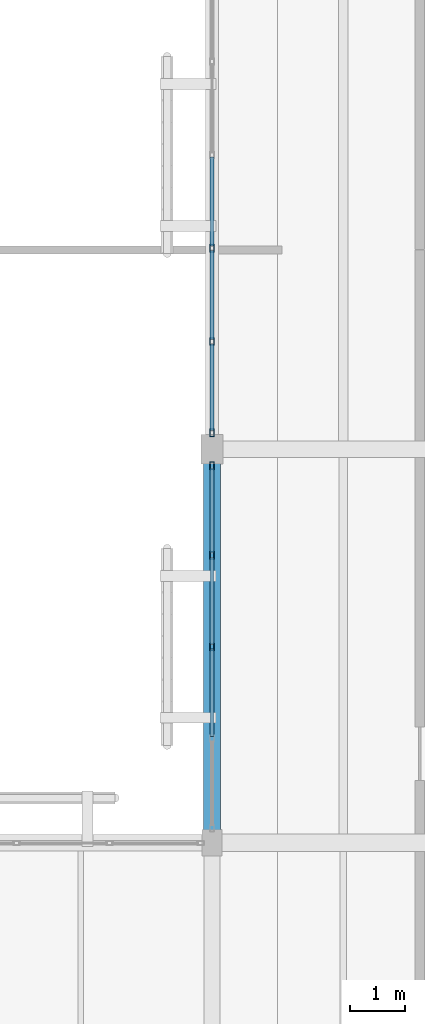
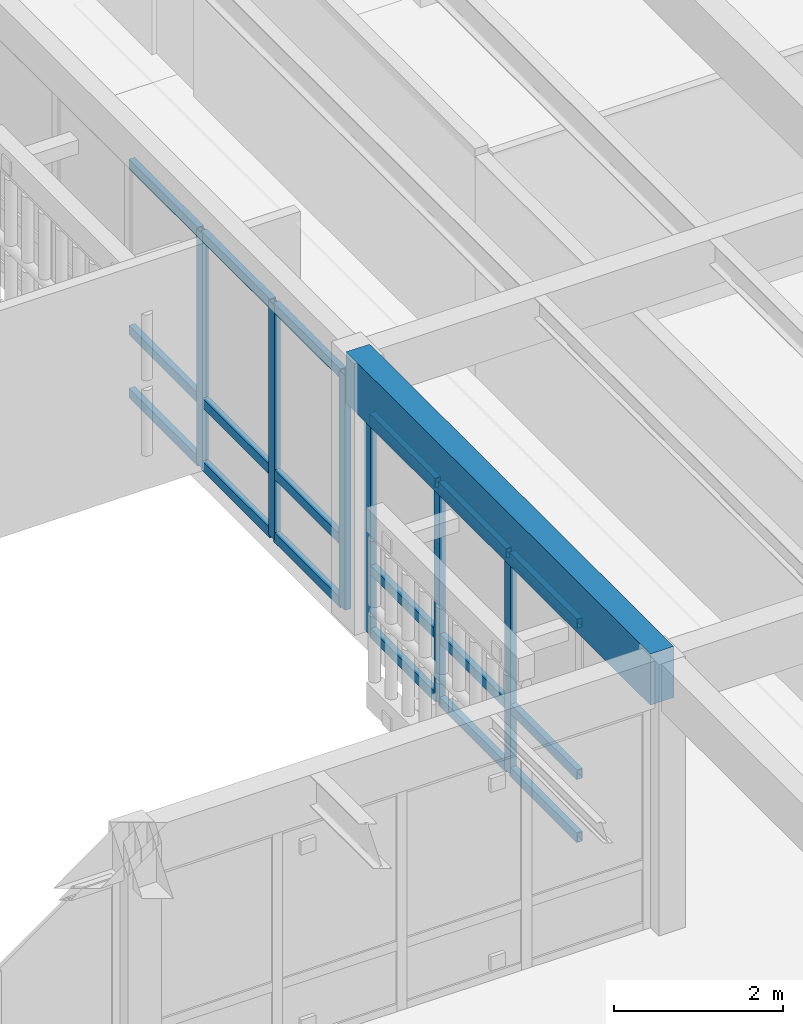
# One storey, part 28 of 112: 24 members, 1 beam, 2 elements without a shape of their own.
"""IFC4 building model written with IfcOpenShell, lengths in metres."""

from ifc_helpers import new_model, si_unit, direction, frame, origin, origin_2d, place, context, subcontext, project, spatial, rectangle, hollow_rectangle, extrude, material, layer, layer_set, material_profile, profile_set, type_object, element, aggregate, save


model = new_model("IFC4")

# Units and contexts
model_context = context("Model", 3, precision=1e-05, world=origin(), true_north=direction((0.0, 1.0)))
body_context = subcontext(model_context, "Body", "Model", "MODEL_VIEW")
ifc_project = project(units=[si_unit("LENGTHUNIT", "METRE"), si_unit("AREAUNIT", "SQUARE_METRE"), si_unit("VOLUMEUNIT", "CUBIC_METRE"), si_unit("PLANEANGLEUNIT", "RADIAN"), si_unit("MASSUNIT", "GRAM", prefix="KILO")], contexts=[model_context])

# Site, building, storey
site_placement = place(None, origin())
site = spatial("IfcSite", under=ifc_project, at=site_placement, CompositionType="ELEMENT")
building_placement = place(site_placement, origin())
building = spatial("IfcBuilding", under=site, at=building_placement, Name="Mazaris Harbour Polytechnic", CompositionType="ELEMENT")
storey_placement = place(building_placement, frame((0.0, 0.0, 13.800048828125)))
storey = spatial("IfcBuildingStorey", under=building, at=storey_placement, Name="L03", CompositionType="ELEMENT", Elevation=13.800048828125)

# Curtain wall, members
ifc_material_1 = material(Name="Anodised Bronze Aluminium and Low-E Glass", Category="aluminium")
ifc_layer = layer(ifc_material_1, 0.159912109375, Name="Anodised Bronze Aluminium and Low-E Glass")
ifc_layer_set = layer_set([ifc_layer], Name="Anodised Bronze Aluminium and Low-E Glass")
curtain_wall_type = type_object("IfcCurtainWallType", Name="Cloister Court Curtain Wall", PredefinedType="NOTDEFINED", material=ifc_layer_set)
curtain_wall_1_placement = place(storey_placement, origin())
curtain_wall_1 = element("IfcCurtainWall", 1, at=curtain_wall_1_placement, inside=storey, type_object=curtain_wall_type, Name="V4 L03 Curtain Wall 158", PredefinedType="NOTDEFINED")
ifc_material_2 = material(Name="Anodised Bronze Steel S355", Category="steel")
ifc_material_profile_1 = material_profile(ifc_material_2, hollow_rectangle(XDim=0.080078125, YDim=0.139892578125, WallThickness=0.00634765625, at=origin_2d()), Name="RHS 80x140x6.3")
ifc_profile_set_1 = profile_set([ifc_material_profile_1], Name="Anodised Bronze Steel S355")
member_type_1 = type_object("IfcMemberType", Name="Curtain Mullion RHS80x140", PredefinedType="MULLION", material=ifc_profile_set_1)
member_1_placement = place(storey_placement, frame((28.800048828125, 42.89794921875, 0.0), z_axis=(0.0, 0.0, 1.0), x_axis=(1.0, 0.0, 0.0)))
member_1 = element("IfcMember", 2, at=member_1_placement, type_object=member_type_1, Name="CW-02 mullion 1", PredefinedType="MULLION", context=body_context, shape_type="SweptSolid", body=[
    extrude(hollow_rectangle(XDim=0.080078125, YDim=0.139892578125, WallThickness=0.00634765625, at=origin_2d()), origin(), (0.0, 0.0, 1.0), 3.169921875),
])
member_2_placement = place(storey_placement, frame((28.800048828125, 41.261474609375, 0.0), z_axis=(0.0, 0.0, 1.0), x_axis=(1.0, 0.0, 0.0)))
member_2 = element("IfcMember", 3, at=member_2_placement, type_object=member_type_1, Name="CW-02 mullion 2", PredefinedType="MULLION", context=body_context, shape_type="SweptSolid", body=[
    extrude(hollow_rectangle(XDim=0.080078125, YDim=0.139892578125, WallThickness=0.00634765625, at=origin_2d()), origin(), (0.0, 0.0, 1.0), 3.169921875),
])
member_3_placement = place(storey_placement, frame((28.800048828125, 39.5849609375, 0.0), z_axis=(0.0, 0.0, 1.0), x_axis=(1.0, 0.0, 0.0)))
member_3 = element("IfcMember", 4, at=member_3_placement, type_object=member_type_1, Name="CW-02 mullion 3", PredefinedType="MULLION", context=body_context, shape_type="SweptSolid", body=[
    extrude(hollow_rectangle(XDim=0.080078125, YDim=0.139892578125, WallThickness=0.00634765625, at=origin_2d()), origin(), (0.0, 0.0, 1.0), 3.169921875),
])

curtain_wall_2_placement = place(storey_placement, origin())
curtain_wall_2 = element("IfcCurtainWall", 5, at=curtain_wall_2_placement, inside=storey, type_object=curtain_wall_type, Name="V4 L03 Curtain Wall 159", PredefinedType="NOTDEFINED")
member_4_placement = place(storey_placement, frame((28.800048828125, 46.87744140625, 0.0), z_axis=(0.0, 0.0, 1.0), x_axis=(1.0, 0.0, 0.0)))
member_4 = element("IfcMember", 6, at=member_4_placement, type_object=member_type_1, Name="CW-02 mullion 5", PredefinedType="MULLION", context=body_context, shape_type="SweptSolid", body=[
    extrude(hollow_rectangle(XDim=0.080078125, YDim=0.139892578125, WallThickness=0.00634765625, at=origin_2d()), origin(), (0.0, 0.0, 1.0), 3.389892578125),
])
member_5_placement = place(storey_placement, frame((28.800048828125, 45.169677734375, 0.0), z_axis=(0.0, 0.0, 1.0), x_axis=(1.0, 0.0, 0.0)))
member_5 = element("IfcMember", 7, at=member_5_placement, type_object=member_type_1, Name="CW-02 mullion 6", PredefinedType="MULLION", context=body_context, shape_type="SweptSolid", body=[
    extrude(hollow_rectangle(XDim=0.080078125, YDim=0.139892578125, WallThickness=0.00634765625, at=origin_2d()), origin(), (0.0, 0.0, 1.0), 3.389892578125),
])
member_6_placement = place(storey_placement, frame((28.800048828125, 43.501953125, 0.0), z_axis=(0.0, 0.0, 1.0), x_axis=(1.0, 0.0, 0.0)))
member_6 = element("IfcMember", 8, at=member_6_placement, type_object=member_type_1, Name="CW-02 mullion 7", PredefinedType="MULLION", context=body_context, shape_type="SweptSolid", body=[
    extrude(hollow_rectangle(XDim=0.080078125, YDim=0.139892578125, WallThickness=0.00634765625, at=origin_2d()), origin(), (0.0, 0.0, 1.0), 3.389892578125),
])

# Member
ifc_material_3 = material(Name="Anodised Bronze Steel S355", Category="steel")
ifc_material_profile_2 = material_profile(ifc_material_3, hollow_rectangle(XDim=0.080078125, YDim=0.139892578125, WallThickness=0.00634765625, at=origin_2d()), Name="RHS 80x140x6.3")
ifc_profile_set_2 = profile_set([ifc_material_profile_2], Name="Anodised Bronze Steel S355")
member_type_2 = type_object("IfcMemberType", Name="Curtain Transom RHS80x140", PredefinedType="USERDEFINED", material=ifc_profile_set_2)
member_7_placement = place(storey_placement, frame((28.800048828125, 42.85791015625, 0.0400390625), z_axis=(0.0, -1.0, 0.0), x_axis=(1.0, 0.0, 0.0)))
member_7 = element("IfcMember", 9, at=member_7_placement, type_object=member_type_2, Name="CW-02 transom 1.1", ObjectType="TRANSOM", PredefinedType="USERDEFINED", context=body_context, shape_type="SweptSolid", body=[
    extrude(hollow_rectangle(XDim=0.080078125, YDim=0.139892578125, WallThickness=0.00634765625, at=origin_2d()), origin(), (0.0, 0.0, 1.0), 1.556396484375),
])

member_8_placement = place(storey_placement, frame((28.800048828125, 42.85791015625, 0.949951171875), z_axis=(0.0, -1.0, 0.0), x_axis=(1.0, 0.0, 0.0)))
member_8 = element("IfcMember", 10, at=member_8_placement, type_object=member_type_2, Name="CW-02 transom 1.2", ObjectType="TRANSOM", PredefinedType="USERDEFINED", context=body_context, shape_type="SweptSolid", body=[
    extrude(hollow_rectangle(XDim=0.080078125, YDim=0.139892578125, WallThickness=0.00634765625, at=origin_2d()), origin(), (0.0, 0.0, 1.0), 1.556396484375),
])

member_9_placement = place(storey_placement, frame((28.800048828125, 42.85791015625, 3.1298828125), z_axis=(0.0, -1.0, 0.0), x_axis=(1.0, 0.0, 0.0)))
member_9 = element("IfcMember", 11, at=member_9_placement, type_object=member_type_2, Name="CW-02 transom 1.3", ObjectType="TRANSOM", PredefinedType="USERDEFINED", context=body_context, shape_type="SweptSolid", body=[
    extrude(hollow_rectangle(XDim=0.080078125, YDim=0.139892578125, WallThickness=0.00634765625, at=origin_2d()), origin(), (0.0, 0.0, 1.0), 1.556396484375),
])

member_10_placement = place(storey_placement, frame((28.800048828125, 41.221435546875, 0.0400390625), z_axis=(0.0, -1.0, 0.0), x_axis=(1.0, 0.0, 0.0)))
member_10 = element("IfcMember", 12, at=member_10_placement, type_object=member_type_2, Name="CW-02 transom 2.1", ObjectType="TRANSOM", PredefinedType="USERDEFINED", context=body_context, shape_type="SweptSolid", body=[
    extrude(hollow_rectangle(XDim=0.080078125, YDim=0.139892578125, WallThickness=0.00634765625, at=origin_2d()), origin(), (0.0, 0.0, 1.0), 1.596435546875),
])

member_11_placement = place(storey_placement, frame((28.800048828125, 41.221435546875, 0.949951171875), z_axis=(0.0, -1.0, 0.0), x_axis=(1.0, 0.0, 0.0)))
member_11 = element("IfcMember", 13, at=member_11_placement, type_object=member_type_2, Name="CW-02 transom 2.2", ObjectType="TRANSOM", PredefinedType="USERDEFINED", context=body_context, shape_type="SweptSolid", body=[
    extrude(hollow_rectangle(XDim=0.080078125, YDim=0.139892578125, WallThickness=0.00634765625, at=origin_2d()), origin(), (0.0, 0.0, 1.0), 1.596435546875),
])

member_12_placement = place(storey_placement, frame((28.800048828125, 41.221435546875, 3.1298828125), z_axis=(0.0, -1.0, 0.0), x_axis=(1.0, 0.0, 0.0)))
member_12 = element("IfcMember", 14, at=member_12_placement, type_object=member_type_2, Name="CW-02 transom 2.3", ObjectType="TRANSOM", PredefinedType="USERDEFINED", context=body_context, shape_type="SweptSolid", body=[
    extrude(hollow_rectangle(XDim=0.080078125, YDim=0.139892578125, WallThickness=0.00634765625, at=origin_2d()), origin(), (0.0, 0.0, 1.0), 1.596435546875),
])

member_13_placement = place(storey_placement, frame((28.800048828125, 39.544921875, 0.0400390625), z_axis=(0.0, -1.0, 0.0), x_axis=(1.0, 0.0, 0.0)))
member_13 = element("IfcMember", 15, at=member_13_placement, type_object=member_type_2, Name="CW-02 transom 3.1", ObjectType="TRANSOM", PredefinedType="USERDEFINED", context=body_context, shape_type="SweptSolid", body=[
    extrude(hollow_rectangle(XDim=0.080078125, YDim=0.139892578125, WallThickness=0.00634765625, at=origin_2d()), origin(), (0.0, 0.0, 1.0), 1.596435546875),
])

member_14_placement = place(storey_placement, frame((28.800048828125, 39.544921875, 0.949951171875), z_axis=(0.0, -1.0, 0.0), x_axis=(1.0, 0.0, 0.0)))
member_14 = element("IfcMember", 16, at=member_14_placement, type_object=member_type_2, Name="CW-02 transom 3.2", ObjectType="TRANSOM", PredefinedType="USERDEFINED", context=body_context, shape_type="SweptSolid", body=[
    extrude(hollow_rectangle(XDim=0.080078125, YDim=0.139892578125, WallThickness=0.00634765625, at=origin_2d()), origin(), (0.0, 0.0, 1.0), 1.596435546875),
])

member_15_placement = place(storey_placement, frame((28.800048828125, 39.544921875, 3.1298828125), z_axis=(0.0, -1.0, 0.0), x_axis=(1.0, 0.0, 0.0)))
member_15 = element("IfcMember", 17, at=member_15_placement, type_object=member_type_2, Name="CW-02 transom 3.3", ObjectType="TRANSOM", PredefinedType="USERDEFINED", context=body_context, shape_type="SweptSolid", body=[
    extrude(hollow_rectangle(XDim=0.080078125, YDim=0.139892578125, WallThickness=0.00634765625, at=origin_2d()), origin(), (0.0, 0.0, 1.0), 1.596435546875),
])

aggregate(curtain_wall_1, [member_1, member_2, member_3, member_7, member_8, member_9, member_10, member_11, member_12, member_13, member_14, member_15])

member_16_placement = place(storey_placement, frame((28.800048828125, 48.544921875, 0.0400390625), z_axis=(0.0, -1.0, 0.0), x_axis=(1.0, 0.0, 0.0)))
member_16 = element("IfcMember", 18, at=member_16_placement, type_object=member_type_2, Name="CW-02 transom 4.1", ObjectType="TRANSOM", PredefinedType="USERDEFINED", context=body_context, shape_type="SweptSolid", body=[
    extrude(hollow_rectangle(XDim=0.080078125, YDim=0.139892578125, WallThickness=0.00634765625, at=origin_2d()), origin(), (0.0, 0.0, 1.0), 1.627685546875),
])

member_17_placement = place(storey_placement, frame((28.800048828125, 48.544921875, 0.949951171875), z_axis=(0.0, -1.0, 0.0), x_axis=(1.0, 0.0, 0.0)))
member_17 = element("IfcMember", 19, at=member_17_placement, type_object=member_type_2, Name="CW-02 transom 4.2", ObjectType="TRANSOM", PredefinedType="USERDEFINED", context=body_context, shape_type="SweptSolid", body=[
    extrude(hollow_rectangle(XDim=0.080078125, YDim=0.139892578125, WallThickness=0.00634765625, at=origin_2d()), origin(), (0.0, 0.0, 1.0), 1.627685546875),
])

member_18_placement = place(storey_placement, frame((28.800048828125, 48.544921875, 3.349853515625), z_axis=(0.0, -1.0, 0.0), x_axis=(1.0, 0.0, 0.0)))
member_18 = element("IfcMember", 20, at=member_18_placement, type_object=member_type_2, Name="CW-02 transom 4.3", ObjectType="TRANSOM", PredefinedType="USERDEFINED", context=body_context, shape_type="SweptSolid", body=[
    extrude(hollow_rectangle(XDim=0.080078125, YDim=0.139892578125, WallThickness=0.00634765625, at=origin_2d()), origin(), (0.0, 0.0, 1.0), 1.627685546875),
])

member_19_placement = place(storey_placement, frame((28.800048828125, 46.83740234375, 0.0400390625), z_axis=(0.0, -1.0, 0.0), x_axis=(1.0, 0.0, 0.0)))
member_19 = element("IfcMember", 21, at=member_19_placement, type_object=member_type_2, Name="CW-02 transom 5.1", ObjectType="TRANSOM", PredefinedType="USERDEFINED", context=body_context, shape_type="SweptSolid", body=[
    extrude(hollow_rectangle(XDim=0.080078125, YDim=0.139892578125, WallThickness=0.00634765625, at=origin_2d()), origin(), (0.0, 0.0, 1.0), 1.627685546875),
])

member_20_placement = place(storey_placement, frame((28.800048828125, 46.83740234375, 0.949951171875), z_axis=(0.0, -1.0, 0.0), x_axis=(1.0, 0.0, 0.0)))
member_20 = element("IfcMember", 22, at=member_20_placement, type_object=member_type_2, Name="CW-02 transom 5.2", ObjectType="TRANSOM", PredefinedType="USERDEFINED", context=body_context, shape_type="SweptSolid", body=[
    extrude(hollow_rectangle(XDim=0.080078125, YDim=0.139892578125, WallThickness=0.00634765625, at=origin_2d()), origin(), (0.0, 0.0, 1.0), 1.627685546875),
])

member_21_placement = place(storey_placement, frame((28.800048828125, 46.83740234375, 3.349853515625), z_axis=(0.0, -1.0, 0.0), x_axis=(1.0, 0.0, 0.0)))
member_21 = element("IfcMember", 23, at=member_21_placement, type_object=member_type_2, Name="CW-02 transom 5.3", ObjectType="TRANSOM", PredefinedType="USERDEFINED", context=body_context, shape_type="SweptSolid", body=[
    extrude(hollow_rectangle(XDim=0.080078125, YDim=0.139892578125, WallThickness=0.00634765625, at=origin_2d()), origin(), (0.0, 0.0, 1.0), 1.627685546875),
])

member_22_placement = place(storey_placement, frame((28.800048828125, 45.129638671875, 0.0400390625), z_axis=(0.0, -1.0, 0.0), x_axis=(1.0, 0.0, 0.0)))
member_22 = element("IfcMember", 24, at=member_22_placement, type_object=member_type_2, Name="CW-02 transom 6.1", ObjectType="TRANSOM", PredefinedType="USERDEFINED", context=body_context, shape_type="SweptSolid", body=[
    extrude(hollow_rectangle(XDim=0.080078125, YDim=0.139892578125, WallThickness=0.00634765625, at=origin_2d()), origin(), (0.0, 0.0, 1.0), 1.587646484375),
])

member_23_placement = place(storey_placement, frame((28.800048828125, 45.129638671875, 0.949951171875), z_axis=(0.0, -1.0, 0.0), x_axis=(1.0, 0.0, 0.0)))
member_23 = element("IfcMember", 25, at=member_23_placement, type_object=member_type_2, Name="CW-02 transom 6.2", ObjectType="TRANSOM", PredefinedType="USERDEFINED", context=body_context, shape_type="SweptSolid", body=[
    extrude(hollow_rectangle(XDim=0.080078125, YDim=0.139892578125, WallThickness=0.00634765625, at=origin_2d()), origin(), (0.0, 0.0, 1.0), 1.587646484375),
])

member_24_placement = place(storey_placement, frame((28.800048828125, 45.129638671875, 3.349853515625), z_axis=(0.0, -1.0, 0.0), x_axis=(1.0, 0.0, 0.0)))
member_24 = element("IfcMember", 26, at=member_24_placement, type_object=member_type_2, Name="CW-02 transom 6.3", ObjectType="TRANSOM", PredefinedType="USERDEFINED", context=body_context, shape_type="SweptSolid", body=[
    extrude(hollow_rectangle(XDim=0.080078125, YDim=0.139892578125, WallThickness=0.00634765625, at=origin_2d()), origin(), (0.0, 0.0, 1.0), 1.587646484375),
])

aggregate(curtain_wall_2, [member_4, member_5, member_6, member_16, member_17, member_18, member_19, member_20, member_21, member_22, member_23, member_24])

# Beam
ifc_material_4 = material(Name="Glulam GL32h", Category="wood")
ifc_material_profile_3 = material_profile(ifc_material_4, rectangle(XDim=0.320068359375, YDim=0.739990234375, at=origin_2d()), Name="RECT320x740")
ifc_profile_set_3 = profile_set([ifc_material_profile_3], Name="Glulam GL32h")
beam_type = type_object("IfcBeamType", Name="Glulam Girder 320x740", PredefinedType="BEAM", material=ifc_profile_set_3)
beam_placement = place(storey_placement, frame((28.800048828125, 36.0, 3.550048828125), z_axis=(0.0, 1.0, 0.0), x_axis=(-1.0, 0.0, 0.0)))
element("IfcBeam", 27, at=beam_placement, inside=storey, type_object=beam_type, Name="V4 L03 Tie Girder 2254", PredefinedType="BEAM", context=body_context, shape_type="SweptSolid", body=[
    extrude(rectangle(XDim=0.320068359375, YDim=0.739990234375, at=origin_2d()), origin(), (0.0, 0.0, 1.0), 7.199951171875),
])

save(model, "model.ifc")
